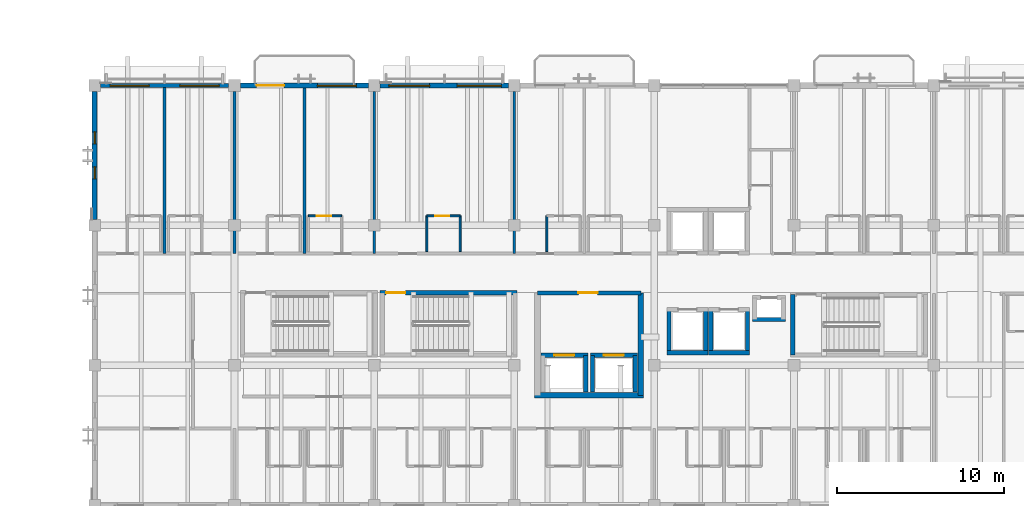
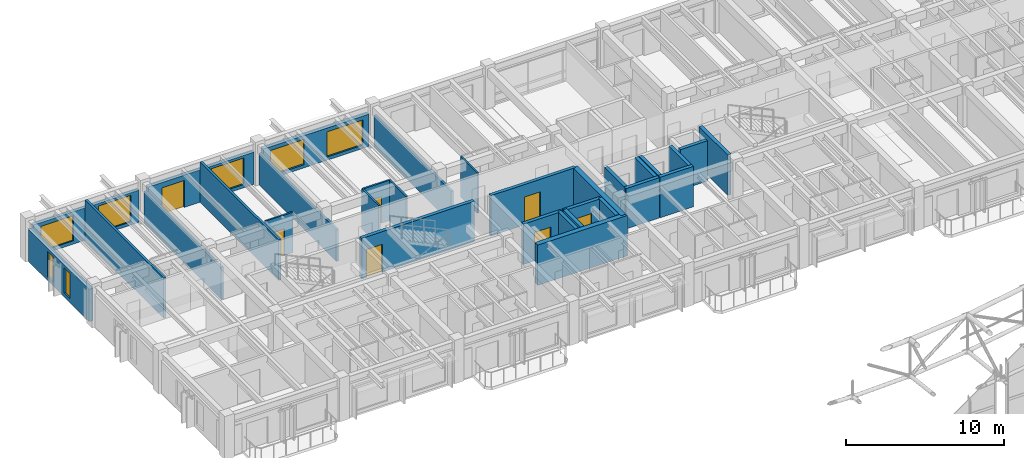
# One storey, part 80 of 93: 31 walls, 7 doors, 7 windows, 14 openings.
"""IFC4 building model written with IfcOpenShell, lengths in metres."""

from ifc_helpers import new_model, si_unit, direction, frame, frame_2d, origin, place, context, subcontext, project, spatial, rectangle, extrude, material, layer, layer_set, type_object, element, fill, save


model = new_model("IFC4")

# Units and contexts
model_context = context("Model", 3, precision=1e-05, world=origin(), true_north=direction((0.0, 1.0)))
body_context = subcontext(model_context, "Body", "Model", "MODEL_VIEW")
ifc_project = project(units=[si_unit("LENGTHUNIT", "METRE"), si_unit("AREAUNIT", "SQUARE_METRE"), si_unit("VOLUMEUNIT", "CUBIC_METRE"), si_unit("PLANEANGLEUNIT", "RADIAN"), si_unit("MASSUNIT", "GRAM", prefix="KILO")], contexts=[model_context])

# Site, building, storey
site_placement = place(None, origin())
site = spatial("IfcSite", under=ifc_project, at=site_placement, CompositionType="ELEMENT")
building_placement = place(site_placement, origin())
building = spatial("IfcBuilding", under=site, at=building_placement, Name="Cumbredor Promenade Congress Hotel", CompositionType="ELEMENT")
storey_placement = place(building_placement, frame((0.0, 0.0, 21.840087890625)))
storey = spatial("IfcBuildingStorey", under=building, at=storey_placement, Name="L06", CompositionType="ELEMENT", Elevation=21.840087890625)

# Walls
ifc_material_1 = material(Name="Concrete C50/60", Category="concrete")
ifc_layer_1 = layer(ifc_material_1, 0.35009765625, Name="Concrete C50/60", Category="concrete")
ifc_layer_set_1 = layer_set([ifc_layer_1], Name="Concrete C50/60")
wall_type_1 = type_object("IfcWallType", Name="Seismic Shear Core Wall 350mm", PredefinedType="SHEAR", material=ifc_layer_set_1)
wall_1_placement = place(storey_placement, frame((26.425048828125, 99.0, 0.0), z_axis=(0.0, 0.0, 1.0), x_axis=(1.0, 0.0, 0.0)))
element("IfcWall", 1, at=wall_1_placement, inside=storey, type_object=wall_type_1, Name="L06 Hotel Core Shear Wall S1", PredefinedType="SHEAR", context=body_context, shape_type="SweptSolid", body=[
    extrude(rectangle(XDim=6.550048828125, YDim=0.35009765625, at=frame_2d((3.27490234375, 0.0))), origin(), (0.0, 0.0, 1.0), 3.119873046875),
])
wall_2_placement = place(storey_placement, frame((32.800048828125, 99.0, 0.0), z_axis=(0.0, 0.0, 1.0), x_axis=(0.0, 1.0, 0.0)))
element("IfcWall", 2, at=wall_2_placement, inside=storey, type_object=wall_type_1, Name="L06 Hotel Core Shear Wall E1", PredefinedType="SHEAR", context=body_context, shape_type="SweptSolid", body=[
    extrude(rectangle(XDim=6.14990234375, YDim=0.35009765625, at=frame_2d((3.074951171875, 0.0))), origin(), (0.0, 0.0, 1.0), 3.119873046875),
])

# Wall, opening, door
ifc_material_2 = material(Name="Moisture-resistant gypsum board on steel studs", Category="steel")
ifc_layer_2 = layer(ifc_material_2, 0.114990234375, Name="Moisture-resistant gypsum board on steel studs", Category="steel")
ifc_layer_set_2 = layer_set([ifc_layer_2], Name="Moisture-resistant gypsum board on steel studs")
wall_type_2 = type_object("IfcWallType", Name="WL-BATH-115", PredefinedType="PARTITIONING", material=ifc_layer_set_2)
wall_3_placement = place(storey_placement, frame((12.840087890625, 109.77001953125, 0.0), z_axis=(0.0, 0.0, 1.0), x_axis=(1.0, 0.0, 0.0)))
wall_3 = element("IfcWall", 3, at=wall_3_placement, inside=storey, type_object=wall_type_2, Name="L06 Interior Partition W-L06-BH-0604", PredefinedType="PARTITIONING", context=body_context, shape_type="SweptSolid", body=[
    extrude(rectangle(XDim=2.0, YDim=0.114990234375, at=frame_2d((1.0, 0.0))), origin(), (0.0, 0.0, 1.0), 3.119873046875),
])
opening_1_placement = place(wall_3_placement, frame((0.5, 0.0, 0.0)))
opening_1 = element("IfcOpeningElement", 4, at=opening_1_placement, cuts=wall_3, Name="Opening ID-01", PredefinedType="OPENING", context=body_context, shape_type="SweptSolid", body=[
    extrude(rectangle(XDim=0.860107421875, YDim=2.050048828125, at=frame_2d((0.43017578125, 1.02490234375))), frame((0.0, 0.0673828125, 0.0), z_axis=(0.0, -1.0, 0.0), x_axis=(1.0, 0.0, 0.0)), (0.0, 0.0, 1.0), 0.135009765625),
])
ifc_material_3 = material(Name="Kiln-dried tropical hardwood", Category="wood")
door_type_1 = type_object("IfcDoorType", Name="DR-BATH-860", OperationType="NOTDEFINED", PredefinedType="DOOR", material=ifc_material_3)
door_1_placement = place(opening_1_placement, origin())
door_1 = element("IfcDoor", 5, at=door_1_placement, inside=storey, type_object=door_type_1, Name="L06 Interior Door W-L06-BH-0604-01", OperationType="SINGLE_SWING_RIGHT", OverallHeight=2.050048828125, OverallWidth=0.860107421875, PredefinedType="DOOR", context=body_context, shape_type="SweptSolid", body=[
    extrude(rectangle(XDim=0.860107421875, YDim=2.050048828125, at=frame_2d((0.43017578125, 1.02490234375))), frame((0.0, 0.02490234375, 0.0), z_axis=(0.0, -1.0, 0.0), x_axis=(1.0, 0.0, 0.0)), (0.0, 0.0, 1.0), 0.050048828125),
])
fill(opening_1, door_1)

wall_4_placement = place(storey_placement, frame((19.949951171875, 109.77001953125, 0.0), z_axis=(0.0, 0.0, 1.0), x_axis=(1.0, 0.0, 0.0)))
wall_4 = element("IfcWall", 6, at=wall_4_placement, inside=storey, type_object=wall_type_2, Name="L06 Interior Partition W-L06-BH-0605", PredefinedType="PARTITIONING", context=body_context, shape_type="SweptSolid", body=[
    extrude(rectangle(XDim=2.0, YDim=0.114990234375, at=frame_2d((1.0, 0.0))), origin(), (0.0, 0.0, 1.0), 3.119873046875),
])
opening_2_placement = place(wall_4_placement, frame((0.5, 0.0, 0.0)))
opening_2 = element("IfcOpeningElement", 7, at=opening_2_placement, cuts=wall_4, Name="Opening ID-01", PredefinedType="OPENING", context=body_context, shape_type="SweptSolid", body=[
    extrude(rectangle(XDim=0.860107421875, YDim=2.050048828125, at=frame_2d((0.43017578125, 1.02490234375))), frame((0.0, 0.0673828125, 0.0), z_axis=(0.0, -1.0, 0.0), x_axis=(1.0, 0.0, 0.0)), (0.0, 0.0, 1.0), 0.135009765625),
])
door_2_placement = place(opening_2_placement, origin())
door_2 = element("IfcDoor", 8, at=door_2_placement, inside=storey, type_object=door_type_1, Name="L06 Interior Door W-L06-BH-0605-01", OperationType="SINGLE_SWING_LEFT", OverallHeight=2.050048828125, OverallWidth=0.860107421875, PredefinedType="DOOR", context=body_context, shape_type="SweptSolid", body=[
    extrude(rectangle(XDim=0.860107421875, YDim=2.050048828125, at=frame_2d((0.43017578125, 1.02490234375))), frame((0.0, 0.02490234375, 0.0), z_axis=(0.0, -1.0, 0.0), x_axis=(1.0, 0.0, 0.0)), (0.0, 0.0, 1.0), 0.050048828125),
])
fill(opening_2, door_2)

# Walls
for number, where, z_axis, x_axis, name in (
    (9, (19.949951171875, 107.6201171875, 0.0), (0.0, 0.0, 1.0), (0.0, 1.0, 0.0), "L06 Interior Partition W-L06-BV1-0605"),
    (10, (21.949951171875, 107.6201171875, 0.0), (0.0, 0.0, 1.0), (0.0, 1.0, 0.0), "L06 Interior Partition W-L06-BV2-0605"),
    (11, (27.159912109375, 107.6201171875, 0.0), (0.0, 0.0, 1.0), (0.0, 1.0, 0.0), "L06 Interior Partition W-L06-BV1-0606"),
):
    element("IfcWall", number, at=place(storey_placement, frame(where, z_axis=z_axis, x_axis=x_axis)), inside=storey, type_object=wall_type_2, Name=name, PredefinedType="PARTITIONING", context=body_context, shape_type="SweptSolid", body=[
        extrude(rectangle(XDim=2.14990234375, YDim=0.114990234375, at=frame_2d((1.074951171875, 0.0))), origin(), (0.0, 0.0, 1.0), 3.119873046875),
    ])

# Wall, openings, windows
ifc_material_4 = material(Name="Concrete C40/50", Category="concrete")
ifc_layer_3 = layer(ifc_material_4, 0.260009765625, Name="Concrete C40/50", Category="concrete")
ifc_layer_set_3 = layer_set([ifc_layer_3], Name="Concrete C40/50")
wall_type_3 = type_object("IfcWallType", Name="WL-EXT-260", PredefinedType="SOLIDWALL", material=ifc_layer_set_3)
wall_5_placement = place(storey_placement, frame((0.35107421875, 117.60009765625, 0.0), z_axis=(0.0, 0.0, 1.0), x_axis=(1.0, 0.0, 0.0)))
wall_5 = element("IfcWall", 12, at=wall_5_placement, inside=storey, type_object=wall_type_3, Name="L06 Stepped Congress Hotel Wing North Envelope Wall 1", PredefinedType="SOLIDWALL", context=body_context, shape_type="SweptSolid", body=[
    extrude(rectangle(XDim=7.697998046875, YDim=0.260009765625, at=frame_2d((3.84912109375, 0.0))), origin(), (0.0, 0.0, 1.0), 2.493896484375),
])
opening_3_placement = place(wall_5_placement, frame((0.573974609375, 0.0, 0.25)))
opening_3 = element("IfcOpeningElement", 13, at=opening_3_placement, cuts=wall_5, Name="Opening WN-08", PredefinedType="OPENING", context=body_context, shape_type="SweptSolid", body=[
    extrude(rectangle(XDim=2.35009765625, YDim=1.949951171875, at=frame_2d((1.175048828125, 0.97509765625))), frame((0.0, 0.14013671875, 0.0), z_axis=(0.0, -1.0, 0.0), x_axis=(1.0, 0.0, 0.0)), (0.0, 0.0, 1.0), 0.280029296875),
])
opening_4_placement = place(wall_5_placement, frame((4.77392578125, 0.0, 0.25)))
opening_4 = element("IfcOpeningElement", 14, at=opening_4_placement, cuts=wall_5, Name="Opening WN-14", PredefinedType="OPENING", context=body_context, shape_type="SweptSolid", body=[
    extrude(rectangle(XDim=2.35009765625, YDim=2.050048828125, at=frame_2d((1.175048828125, 1.02490234375))), frame((0.0, 0.14013671875, 0.0), z_axis=(0.0, -1.0, 0.0), x_axis=(1.0, 0.0, 0.0)), (0.0, 0.0, 1.0), 0.280029296875),
])
ifc_material_5 = material(Name="Thermally broken anodized aluminium and low-E glass", Category="aluminium")
window_type_1 = type_object("IfcWindowType", Name="Hospitality Floor-to-Ceiling Window WN-08 2350x1950", PartitioningType="DOUBLE_PANEL_VERTICAL", PredefinedType="WINDOW", material=ifc_material_5)
window_1_placement = place(opening_3_placement, origin())
window_1 = element("IfcWindow", 15, at=window_1_placement, inside=storey, type_object=window_type_1, Name="L06 Wide Hospitality Window 0595", OverallHeight=1.949951171875, OverallWidth=2.35009765625, PartitioningType="DOUBLE_PANEL_VERTICAL", PredefinedType="WINDOW", context=body_context, shape_type="SweptSolid", body=[
    extrude(rectangle(XDim=2.35009765625, YDim=1.949951171875, at=frame_2d((1.175048828125, 0.97509765625))), frame((0.0, 0.030029296875, 0.0), z_axis=(0.0, -1.0, 0.0), x_axis=(1.0, 0.0, 0.0)), (0.0, 0.0, 1.0), 0.06005859375),
])
fill(opening_3, window_1)
window_type_2 = type_object("IfcWindowType", Name="Hospitality Floor-to-Ceiling Window WN-14 2350x2050", PartitioningType="DOUBLE_PANEL_VERTICAL", PredefinedType="WINDOW", material=ifc_material_5)
window_2_placement = place(opening_4_placement, origin())
window_2 = element("IfcWindow", 16, at=window_2_placement, inside=storey, type_object=window_type_2, Name="L06 Wide Hospitality Window 0596", OverallHeight=2.050048828125, OverallWidth=2.35009765625, PartitioningType="DOUBLE_PANEL_VERTICAL", PredefinedType="WINDOW", context=body_context, shape_type="SweptSolid", body=[
    extrude(rectangle(XDim=2.35009765625, YDim=2.050048828125, at=frame_2d((1.175048828125, 1.02490234375))), frame((0.0, 0.030029296875, 0.0), z_axis=(0.0, -1.0, 0.0), x_axis=(1.0, 0.0, 0.0)), (0.0, 0.0, 1.0), 0.06005859375),
])
fill(opening_4, window_2)

# Wall, openings, door, window
ifc_layer_4 = layer(ifc_material_4, 0.280029296875, Name="Concrete C40/50", Category="concrete")
ifc_layer_set_4 = layer_set([ifc_layer_4], Name="Concrete C40/50")
wall_type_4 = type_object("IfcWallType", Name="WL-EXT-280", PredefinedType="SOLIDWALL", material=ifc_layer_set_4)
wall_6_placement = place(storey_placement, frame((8.7509765625, 117.60009765625, 0.0), z_axis=(0.0, 0.0, 1.0), x_axis=(1.0, 0.0, 0.0)))
wall_6 = element("IfcWall", 17, at=wall_6_placement, inside=storey, type_object=wall_type_4, Name="L06 Stepped Congress Hotel Wing North Envelope Wall 2", PredefinedType="SOLIDWALL", context=body_context, shape_type="SweptSolid", body=[
    extrude(rectangle(XDim=7.697998046875, YDim=0.280029296875, at=frame_2d((3.84912109375, 0.0))), origin(), (0.0, 0.0, 1.0), 2.493896484375),
])
opening_5_placement = place(wall_6_placement, frame((0.97412109375, 0.0, 0.0)))
opening_5 = element("IfcOpeningElement", 18, at=opening_5_placement, cuts=wall_6, Name="Opening TD-02", PredefinedType="OPENING", context=body_context, shape_type="SweptSolid", body=[
    extrude(rectangle(XDim=1.64990234375, YDim=2.080078125, at=frame_2d((0.824951171875, 1.0400390625))), frame((0.0, 0.14990234375, 0.0), z_axis=(0.0, -1.0, 0.0), x_axis=(1.0, 0.0, 0.0)), (0.0, 0.0, 1.0), 0.300048828125),
])
opening_6_placement = place(wall_6_placement, frame((4.6240234375, 0.0, 0.25)))
opening_6 = element("IfcOpeningElement", 19, at=opening_6_placement, cuts=wall_6, Name="Opening WN-14", PredefinedType="OPENING", context=body_context, shape_type="SweptSolid", body=[
    extrude(rectangle(XDim=2.35009765625, YDim=2.050048828125, at=frame_2d((1.175048828125, 1.02490234375))), frame((0.0, 0.14990234375, 0.0), z_axis=(0.0, -1.0, 0.0), x_axis=(1.0, 0.0, 0.0)), (0.0, 0.0, 1.0), 0.300048828125),
])
ifc_material_6 = material(Name="Thermally broken anodized aluminium and laminated safety glass", Category="aluminium")
door_type_2 = type_object("IfcDoorType", Name="EXT-DR-TER-1650x2080", OperationType="DOUBLE_DOOR_SINGLE_SWING", PredefinedType="DOOR", material=ifc_material_6)
door_3_placement = place(opening_5_placement, origin())
door_3 = element("IfcDoor", 20, at=door_3_placement, inside=storey, type_object=door_type_2, Name="L06 Guestroom Veranda Balcony Door 070", OperationType="DOUBLE_DOOR_SINGLE_SWING", OverallHeight=2.080078125, OverallWidth=1.64990234375, PredefinedType="DOOR", context=body_context, shape_type="SweptSolid", body=[
    extrude(rectangle(XDim=1.64990234375, YDim=2.080078125, at=frame_2d((0.824951171875, 1.0400390625))), frame((0.0, 0.02490234375, 0.0), z_axis=(0.0, -1.0, 0.0), x_axis=(1.0, 0.0, 0.0)), (0.0, 0.0, 1.0), 0.050048828125),
])
fill(opening_5, door_3)
window_3_placement = place(opening_6_placement, origin())
window_3 = element("IfcWindow", 21, at=window_3_placement, inside=storey, type_object=window_type_2, Name="L06 Veranda Companion Floor-to-Ceiling Window 0597", OverallHeight=2.050048828125, OverallWidth=2.35009765625, PartitioningType="DOUBLE_PANEL_VERTICAL", PredefinedType="WINDOW", context=body_context, shape_type="SweptSolid", body=[
    extrude(rectangle(XDim=2.35009765625, YDim=2.050048828125, at=frame_2d((1.175048828125, 1.02490234375))), frame((0.0, 0.030029296875, 0.0), z_axis=(0.0, -1.0, 0.0), x_axis=(1.0, 0.0, 0.0)), (0.0, 0.0, 1.0), 0.06005859375),
])
fill(opening_6, window_3)

# Wall, openings, windows
ifc_layer_5 = layer(ifc_material_4, 0.300048828125, Name="Concrete C40/50", Category="concrete")
ifc_layer_set_5 = layer_set([ifc_layer_5], Name="Concrete C40/50")
wall_type_5 = type_object("IfcWallType", Name="WL-EXT-300", PredefinedType="SOLIDWALL", material=ifc_layer_set_5)
wall_7_placement = place(storey_placement, frame((17.15087890625, 117.60009765625, 0.0), z_axis=(0.0, 0.0, 1.0), x_axis=(1.0, 0.0, 0.0)))
wall_7 = element("IfcWall", 22, at=wall_7_placement, inside=storey, type_object=wall_type_5, Name="L06 Stepped Congress Hotel Wing North Envelope Wall 3", PredefinedType="SOLIDWALL", context=body_context, shape_type="SweptSolid", body=[
    extrude(rectangle(XDim=7.6982421875, YDim=0.300048828125, at=frame_2d((3.84912109375, 0.0))), origin(), (0.0, 0.0, 1.0), 2.493896484375),
])
opening_7_placement = place(wall_7_placement, frame((0.52392578125, 0.0, 0.25)))
opening_7 = element("IfcOpeningElement", 23, at=opening_7_placement, cuts=wall_7, Name="Opening WN-09", PredefinedType="OPENING", context=body_context, shape_type="SweptSolid", body=[
    extrude(rectangle(XDim=2.449951171875, YDim=1.949951171875, at=frame_2d((1.22509765625, 0.97509765625))), frame((0.0, 0.16015625, 0.0), z_axis=(0.0, -1.0, 0.0), x_axis=(1.0, 0.0, 0.0)), (0.0, 0.0, 1.0), 0.320068359375),
])
opening_8_placement = place(wall_7_placement, frame((4.6240234375, 0.0, 0.25)))
opening_8 = element("IfcOpeningElement", 24, at=opening_8_placement, cuts=wall_7, Name="Opening WN-11", PredefinedType="OPENING", context=body_context, shape_type="SweptSolid", body=[
    extrude(rectangle(XDim=2.64990234375, YDim=1.949951171875, at=frame_2d((1.324951171875, 0.97509765625))), frame((0.0, 0.16015625, 0.0), z_axis=(0.0, -1.0, 0.0), x_axis=(1.0, 0.0, 0.0)), (0.0, 0.0, 1.0), 0.320068359375),
])
window_type_3 = type_object("IfcWindowType", Name="Hospitality Floor-to-Ceiling Window WN-09 2450x1950", PartitioningType="DOUBLE_PANEL_VERTICAL", PredefinedType="WINDOW", material=ifc_material_5)
window_4_placement = place(opening_7_placement, origin())
window_4 = element("IfcWindow", 25, at=window_4_placement, inside=storey, type_object=window_type_3, Name="L06 Wide Hospitality Window 0598", OverallHeight=1.949951171875, OverallWidth=2.449951171875, PartitioningType="DOUBLE_PANEL_VERTICAL", PredefinedType="WINDOW", context=body_context, shape_type="SweptSolid", body=[
    extrude(rectangle(XDim=2.449951171875, YDim=1.949951171875, at=frame_2d((1.22509765625, 0.97509765625))), frame((0.0, 0.030029296875, 0.0), z_axis=(0.0, -1.0, 0.0), x_axis=(1.0, 0.0, 0.0)), (0.0, 0.0, 1.0), 0.06005859375),
])
fill(opening_7, window_4)
window_type_4 = type_object("IfcWindowType", Name="Hospitality Floor-to-Ceiling Window WN-11 2650x1950", PartitioningType="DOUBLE_PANEL_VERTICAL", PredefinedType="WINDOW", material=ifc_material_5)
window_5_placement = place(opening_8_placement, origin())
window_5 = element("IfcWindow", 26, at=window_5_placement, inside=storey, type_object=window_type_4, Name="L06 Wide Hospitality Window 0599", OverallHeight=1.949951171875, OverallWidth=2.64990234375, PartitioningType="DOUBLE_PANEL_VERTICAL", PredefinedType="WINDOW", context=body_context, shape_type="SweptSolid", body=[
    extrude(rectangle(XDim=2.64990234375, YDim=1.949951171875, at=frame_2d((1.324951171875, 0.97509765625))), frame((0.0, 0.030029296875, 0.0), z_axis=(0.0, -1.0, 0.0), x_axis=(1.0, 0.0, 0.0)), (0.0, 0.0, 1.0), 0.06005859375),
])
fill(opening_8, window_5)

wall_8_placement = place(storey_placement, frame((0.0, 109.551025390625, 0.0), z_axis=(0.0, 0.0, 1.0), x_axis=(0.0, 1.0, 0.0)))
wall_8 = element("IfcWall", 27, at=wall_8_placement, inside=storey, type_object=wall_type_5, Name="L06 Stepped Congress Hotel Wing West Envelope Wall 3", PredefinedType="SOLIDWALL", context=body_context, shape_type="SweptSolid", body=[
    extrude(rectangle(XDim=7.697998046875, YDim=0.300048828125, at=frame_2d((3.84912109375, 0.0))), origin(), (0.0, 0.0, 1.0), 2.493896484375),
])
opening_9_placement = place(wall_8_placement, frame((2.43896484375, 0.0, 0.300048828125)))
opening_9 = element("IfcOpeningElement", 28, at=opening_9_placement, cuts=wall_8, Name="Opening WN-49", PredefinedType="OPENING", context=body_context, shape_type="SweptSolid", body=[
    extrude(rectangle(XDim=0.719970703125, YDim=1.949951171875, at=frame_2d((0.35986328125, 0.97509765625))), frame((0.0, 0.16015625, 0.0), z_axis=(0.0, -1.0, 0.0), x_axis=(1.0, 0.0, 0.0)), (0.0, 0.0, 1.0), 0.320068359375),
])
opening_10_placement = place(wall_8_placement, frame((4.5390625, 0.0, 0.300048828125)))
opening_10 = element("IfcOpeningElement", 29, at=opening_10_placement, cuts=wall_8, Name="Opening WN-49", PredefinedType="OPENING", context=body_context, shape_type="SweptSolid", body=[
    extrude(rectangle(XDim=0.719970703125, YDim=1.949951171875, at=frame_2d((0.35986328125, 0.97509765625))), frame((0.0, 0.16015625, 0.0), z_axis=(0.0, -1.0, 0.0), x_axis=(1.0, 0.0, 0.0)), (0.0, 0.0, 1.0), 0.320068359375),
])
window_type_5 = type_object("IfcWindowType", Name="Vertical Slot Window WN-49 720x1950", PartitioningType="SINGLE_PANEL", PredefinedType="WINDOW", material=ifc_material_5)
window_6_placement = place(opening_9_placement, origin())
window_6 = element("IfcWindow", 30, at=window_6_placement, inside=storey, type_object=window_type_5, Name="L06 Vertical Slot Window 0609", OverallHeight=1.949951171875, OverallWidth=0.719970703125, PartitioningType="SINGLE_PANEL", PredefinedType="WINDOW", context=body_context, shape_type="SweptSolid", body=[
    extrude(rectangle(XDim=0.719970703125, YDim=1.949951171875, at=frame_2d((0.35986328125, 0.97509765625))), frame((0.0, 0.030029296875, 0.0), z_axis=(0.0, -1.0, 0.0), x_axis=(1.0, 0.0, 0.0)), (0.0, 0.0, 1.0), 0.06005859375),
])
fill(opening_9, window_6)
window_7_placement = place(opening_10_placement, origin())
window_7 = element("IfcWindow", 31, at=window_7_placement, inside=storey, type_object=window_type_5, Name="L06 Vertical Slot Window 0610", OverallHeight=1.949951171875, OverallWidth=0.719970703125, PartitioningType="SINGLE_PANEL", PredefinedType="WINDOW", context=body_context, shape_type="SweptSolid", body=[
    extrude(rectangle(XDim=0.719970703125, YDim=1.949951171875, at=frame_2d((0.35986328125, 0.97509765625))), frame((0.0, 0.030029296875, 0.0), z_axis=(0.0, -1.0, 0.0), x_axis=(1.0, 0.0, 0.0)), (0.0, 0.0, 1.0), 0.06005859375),
])
fill(opening_10, window_7)

# Wall, opening, door
ifc_layer_6 = layer(ifc_material_4, 0.239990234375, Name="Concrete C40/50", Category="concrete")
ifc_layer_set_6 = layer_set([ifc_layer_6], Name="Concrete C40/50")
wall_type_6 = type_object("IfcWallType", Name="WL-FFL-240", PredefinedType="SOLIDWALL", material=ifc_layer_set_6)
wall_9_placement = place(storey_placement, frame((26.60009765625, 105.14990234375, 0.0), z_axis=(0.0, 0.0, 1.0), x_axis=(1.0, 0.0, 0.0)))
wall_9 = element("IfcWall", 32, at=wall_9_placement, inside=storey, type_object=wall_type_6, Name="L06 Interior Partition W-FFL-L06-N", PredefinedType="SOLIDWALL", context=body_context, shape_type="SweptSolid", body=[
    extrude(rectangle(XDim=6.199951171875, YDim=0.239990234375, at=frame_2d((3.10009765625, 0.0))), origin(), (0.0, 0.0, 1.0), 3.119873046875),
])
opening_11_placement = place(wall_9_placement, frame((2.449951171875, 0.0, 0.0)))
opening_11 = element("IfcOpeningElement", 33, at=opening_11_placement, cuts=wall_9, Name="Opening FD-05", PredefinedType="OPENING", context=body_context, shape_type="SweptSolid", body=[
    extrude(rectangle(XDim=1.14990234375, YDim=2.14990234375, at=frame_2d((0.574951171875, 1.074951171875))), frame((0.0, 0.1298828125, 0.0), z_axis=(0.0, -1.0, 0.0), x_axis=(1.0, 0.0, 0.0)), (0.0, 0.0, 1.0), 0.260009765625),
])
ifc_material_7 = material(Name="Painted galvanized steel fire door", Category="steel")
door_type_3 = type_object("IfcDoorType", Name="DR-SGL-FD60-1150", OperationType="NOTDEFINED", PredefinedType="DOOR", material=ifc_material_7)
door_4_placement = place(opening_11_placement, origin())
door_4 = element("IfcDoor", 34, at=door_4_placement, inside=storey, type_object=door_type_3, Name="L06 Interior Door W-FFL-L06-N-01", OperationType="SINGLE_SWING_LEFT", OverallHeight=2.14990234375, OverallWidth=1.14990234375, PredefinedType="DOOR", context=body_context, shape_type="SweptSolid", body=[
    extrude(rectangle(XDim=1.14990234375, YDim=2.14990234375, at=frame_2d((0.574951171875, 1.074951171875))), frame((0.0, 0.02490234375, 0.0), z_axis=(0.0, -1.0, 0.0), x_axis=(1.0, 0.0, 0.0)), (0.0, 0.0, 1.0), 0.050048828125),
])
fill(opening_11, door_4)

ifc_layer_7 = layer(ifc_material_4, 0.2548828125, Name="Concrete C40/50", Category="concrete")
ifc_layer_set_7 = layer_set([ifc_layer_7], Name="Concrete C40/50")
wall_type_7 = type_object("IfcWallType", Name="WL-SHAFT-250", PredefinedType="SOLIDWALL", material=ifc_layer_set_7)
wall_10_placement = place(storey_placement, frame((17.152587890625, 105.14990234375, 0.0), z_axis=(0.0, 0.0, 1.0), x_axis=(1.0, 0.0, 0.0)))
wall_10 = element("IfcWall", 35, at=wall_10_placement, inside=storey, type_object=wall_type_7, Name="STAIR-ST-02-L06 Shaft Wall North", PredefinedType="SOLIDWALL", context=body_context, shape_type="SweptSolid", body=[
    extrude(rectangle(XDim=8.224853515625, YDim=0.2548828125, at=frame_2d((4.1123046875, 0.0))), origin(), (0.0, 0.0, 1.0), 3.119873046875),
])
opening_12_placement = place(wall_10_placement, frame((0.35009765625, 0.0, 0.0)))
opening_12 = element("IfcOpeningElement", 36, at=opening_12_placement, cuts=wall_10, Name="Opening SD-01", PredefinedType="OPENING", context=body_context, shape_type="SweptSolid", body=[
    extrude(rectangle(XDim=1.159912109375, YDim=2.14990234375, at=frame_2d((0.580078125, 1.074951171875))), frame((0.0, 0.137451171875, 0.0), z_axis=(0.0, -1.0, 0.0), x_axis=(1.0, 0.0, 0.0)), (0.0, 0.0, 1.0), 0.27490234375),
])
door_type_4 = type_object("IfcDoorType", Name="DR-STAIR-FD90-1150", OperationType="NOTDEFINED", PredefinedType="DOOR", material=ifc_material_7)
door_5_placement = place(opening_12_placement, origin())
door_5 = element("IfcDoor", 37, at=door_5_placement, inside=storey, type_object=door_type_4, Name="L06 Protected Exit Stair ST-02 Door", OperationType="SINGLE_SWING_LEFT", OverallHeight=2.14990234375, OverallWidth=1.159912109375, PredefinedType="DOOR", context=body_context, shape_type="SweptSolid", body=[
    extrude(rectangle(XDim=1.159912109375, YDim=2.14990234375, at=frame_2d((0.580078125, 1.074951171875))), frame((0.0, 0.02490234375, 0.0), z_axis=(0.0, -1.0, 0.0), x_axis=(1.0, 0.0, 0.0)), (0.0, 0.0, 1.0), 0.050048828125),
])
fill(opening_12, door_5)

# Wall
wall_11_placement = place(storey_placement, frame((41.929931640625, 101.419921875, 0.0), z_axis=(0.0, 0.0, 1.0), x_axis=(0.0, 1.0, 0.0)))
element("IfcWall", 38, at=wall_11_placement, inside=storey, type_object=wall_type_7, Name="STAIR-ST-03-L06 Shaft Wall West", PredefinedType="SOLIDWALL", context=body_context, shape_type="SweptSolid", body=[
    extrude(rectangle(XDim=3.630126953125, YDim=0.2548828125, at=frame_2d((1.81494140625, 0.0))), origin(), (0.0, 0.0, 1.0), 3.119873046875),
])

# Wall, opening, door
wall_12_placement = place(storey_placement, frame((26.802490234375, 101.39990234375, 0.0), z_axis=(0.0, 0.0, 1.0), x_axis=(1.0, 0.0, 0.0)))
wall_12 = element("IfcWall", 39, at=wall_12_placement, inside=storey, type_object=wall_type_7, Name="SHAFT-FF-01-L06 Shaft Wall North", PredefinedType="SOLIDWALL", context=body_context, shape_type="SweptSolid", body=[
    extrude(rectangle(XDim=2.824951171875, YDim=0.2548828125, at=frame_2d((1.41259765625, 0.0))), origin(), (0.0, 0.0, 1.0), 3.119873046875),
])
opening_13_placement = place(wall_12_placement, frame((0.8125, 0.0, 0.0)))
opening_13 = element("IfcOpeningElement", 40, at=opening_13_placement, cuts=wall_12, Name="Opening LD-02", PredefinedType="OPENING", context=body_context, shape_type="SweptSolid", body=[
    extrude(rectangle(XDim=1.199951171875, YDim=2.199951171875, at=frame_2d((0.60009765625, 1.10009765625))), frame((0.0, 0.137451171875, 0.0), z_axis=(0.0, -1.0, 0.0), x_axis=(1.0, 0.0, 0.0)), (0.0, 0.0, 1.0), 0.27490234375),
])
ifc_material_8 = material(Name="Brushed stainless steel", Category="steel")
door_type_5 = type_object("IfcDoorType", Name="Firefighting Lift Sliding Door LD-02 1200x2200", OperationType="DOUBLE_DOOR_SLIDING", PredefinedType="DOOR", material=ifc_material_8)
door_6_placement = place(opening_13_placement, origin())
door_6 = element("IfcDoor", 41, at=door_6_placement, inside=storey, type_object=door_type_5, Name="L06 Firefighting Lift FF-01 Sliding Landing Door", OperationType="DOUBLE_DOOR_SLIDING", OverallHeight=2.199951171875, OverallWidth=1.199951171875, PredefinedType="DOOR", context=body_context, shape_type="SweptSolid", body=[
    extrude(rectangle(XDim=1.199951171875, YDim=2.199951171875, at=frame_2d((0.60009765625, 1.10009765625))), frame((0.0, 0.02490234375, 0.0), z_axis=(0.0, -1.0, 0.0), x_axis=(1.0, 0.0, 0.0)), (0.0, 0.0, 1.0), 0.050048828125),
])
fill(opening_13, door_6)

# Wall
wall_13_placement = place(storey_placement, frame((29.5, 99.199951171875, 0.0), z_axis=(0.0, 0.0, 1.0), x_axis=(0.0, 1.0, 0.0)))
element("IfcWall", 42, at=wall_13_placement, inside=storey, type_object=wall_type_7, Name="SHAFT-FF-01-L06 Shaft Wall East", PredefinedType="SOLIDWALL", context=body_context, shape_type="SweptSolid", body=[
    extrude(rectangle(XDim=2.199951171875, YDim=0.2548828125, at=frame_2d((1.10009765625, 0.0))), origin(), (0.0, 0.0, 1.0), 3.119873046875),
])

# Wall, opening, door
wall_14_placement = place(storey_placement, frame((29.7724609375, 101.39990234375, 0.0), z_axis=(0.0, 0.0, 1.0), x_axis=(1.0, 0.0, 0.0)))
wall_14 = element("IfcWall", 43, at=wall_14_placement, inside=storey, type_object=wall_type_7, Name="SHAFT-FF-02-L06 Shaft Wall North", PredefinedType="SOLIDWALL", context=body_context, shape_type="SweptSolid", body=[
    extrude(rectangle(XDim=2.824951171875, YDim=0.2548828125, at=frame_2d((1.41259765625, 0.0))), origin(), (0.0, 0.0, 1.0), 3.119873046875),
])
opening_14_placement = place(wall_14_placement, frame((0.8125, 0.0, 0.0)))
opening_14 = element("IfcOpeningElement", 44, at=opening_14_placement, cuts=wall_14, Name="Opening LD-02", PredefinedType="OPENING", context=body_context, shape_type="SweptSolid", body=[
    extrude(rectangle(XDim=1.199951171875, YDim=2.199951171875, at=frame_2d((0.60009765625, 1.10009765625))), frame((0.0, 0.137451171875, 0.0), z_axis=(0.0, -1.0, 0.0), x_axis=(1.0, 0.0, 0.0)), (0.0, 0.0, 1.0), 0.27490234375),
])
door_7_placement = place(opening_14_placement, origin())
door_7 = element("IfcDoor", 45, at=door_7_placement, inside=storey, type_object=door_type_5, Name="L06 Firefighting Lift FF-02 Sliding Landing Door", OperationType="DOUBLE_DOOR_SLIDING", OverallHeight=2.199951171875, OverallWidth=1.199951171875, PredefinedType="DOOR", context=body_context, shape_type="SweptSolid", body=[
    extrude(rectangle(XDim=1.199951171875, YDim=2.199951171875, at=frame_2d((0.60009765625, 1.10009765625))), frame((0.0, 0.02490234375, 0.0), z_axis=(0.0, -1.0, 0.0), x_axis=(1.0, 0.0, 0.0)), (0.0, 0.0, 1.0), 0.050048828125),
])
fill(opening_14, door_7)

# Walls
for number, where, z_axis, x_axis, name in (
    (46, (29.89990234375, 99.199951171875, 0.0), (0.0, 0.0, 1.0), (0.0, 1.0, 0.0), "SHAFT-FF-02-L06 Shaft Wall West"),
    (47, (32.469970703125, 99.199951171875, 0.0), (0.0, 0.0, 1.0), (0.0, 1.0, 0.0), "SHAFT-FF-02-L06 Shaft Wall East"),
):
    element("IfcWall", number, at=place(storey_placement, frame(where, z_axis=z_axis, x_axis=x_axis)), inside=storey, type_object=wall_type_7, Name=name, PredefinedType="SOLIDWALL", context=body_context, shape_type="SweptSolid", body=[
        extrude(rectangle(XDim=2.199951171875, YDim=0.2548828125, at=frame_2d((1.10009765625, 0.0))), origin(), (0.0, 0.0, 1.0), 3.119873046875),
    ])
wall_15_placement = place(storey_placement, frame((34.37255859375, 101.550048828125, 0.0), z_axis=(0.0, 0.0, 1.0), x_axis=(1.0, 0.0, 0.0)))
element("IfcWall", 48, at=wall_15_placement, inside=storey, type_object=wall_type_7, Name="SHAFT-PL-03-L06 Shaft Wall South", PredefinedType="SOLIDWALL", context=body_context, shape_type="SweptSolid", body=[
    extrude(rectangle(XDim=2.454833984375, YDim=0.2548828125, at=frame_2d((1.2275390625, 0.0))), origin(), (0.0, 0.0, 1.0), 3.119873046875),
])
for number, where, z_axis, x_axis, name in (
    (49, (34.5, 101.550048828125, 0.0), (0.0, 0.0, 1.0), (0.0, 1.0, 0.0), "SHAFT-PL-03-L06 Shaft Wall West"),
    (50, (36.699951171875, 101.550048828125, 0.0), (0.0, 0.0, 1.0), (0.0, 1.0, 0.0), "SHAFT-PL-03-L06 Shaft Wall East"),
):
    element("IfcWall", number, at=place(storey_placement, frame(where, z_axis=z_axis, x_axis=x_axis)), inside=storey, type_object=wall_type_7, Name=name, PredefinedType="SOLIDWALL", context=body_context, shape_type="SweptSolid", body=[
        extrude(rectangle(XDim=2.599853515625, YDim=0.2548828125, at=frame_2d((1.2998046875, 0.0))), origin(), (0.0, 0.0, 1.0), 3.119873046875),
    ])
wall_16_placement = place(storey_placement, frame((36.87255859375, 101.550048828125, 0.0), z_axis=(0.0, 0.0, 1.0), x_axis=(1.0, 0.0, 0.0)))
element("IfcWall", 51, at=wall_16_placement, inside=storey, type_object=wall_type_7, Name="SHAFT-PL-04-L06 Shaft Wall South", PredefinedType="SOLIDWALL", context=body_context, shape_type="SweptSolid", body=[
    extrude(rectangle(XDim=2.454833984375, YDim=0.2548828125, at=frame_2d((1.2275390625, 0.0))), origin(), (0.0, 0.0, 1.0), 3.119873046875),
])
for number, where, z_axis, x_axis, name in (
    (52, (37.0, 101.550048828125, 0.0), (0.0, 0.0, 1.0), (0.0, 1.0, 0.0), "SHAFT-PL-04-L06 Shaft Wall West"),
    (53, (39.199951171875, 101.550048828125, 0.0), (0.0, 0.0, 1.0), (0.0, 1.0, 0.0), "SHAFT-PL-04-L06 Shaft Wall East"),
):
    element("IfcWall", number, at=place(storey_placement, frame(where, z_axis=z_axis, x_axis=x_axis)), inside=storey, type_object=wall_type_7, Name=name, PredefinedType="SOLIDWALL", context=body_context, shape_type="SweptSolid", body=[
        extrude(rectangle(XDim=2.599853515625, YDim=0.2548828125, at=frame_2d((1.2998046875, 0.0))), origin(), (0.0, 0.0, 1.0), 3.119873046875),
    ])
wall_17_placement = place(storey_placement, frame((39.5224609375, 103.550048828125, 0.0), z_axis=(0.0, 0.0, 1.0), x_axis=(1.0, 0.0, 0.0)))
element("IfcWall", 54, at=wall_17_placement, inside=storey, type_object=wall_type_7, Name="RISER-MEP-R1-L06 Shaft Wall South", PredefinedType="SOLIDWALL", context=body_context, shape_type="SweptSolid", body=[
    extrude(rectangle(XDim=1.955078125, YDim=0.2548828125, at=frame_2d((0.9775390625, 0.0))), origin(), (0.0, 0.0, 1.0), 3.119873046875),
])
ifc_material_9 = material(Name="Fire-rated acoustic double-stud partition")
ifc_layer_8 = layer(ifc_material_9, 0.1650390625, Name="Fire-rated acoustic double-stud partition")
ifc_layer_set_8 = layer_set([ifc_layer_8], Name="Fire-rated acoustic double-stud partition")
wall_type_8 = type_object("IfcWallType", Name="WL-UNIT-165", PredefinedType="PARTITIONING", material=ifc_layer_set_8)
wall_18_placement = place(storey_placement, frame((4.199951171875, 107.5, 0.0), z_axis=(0.0, 0.0, 1.0), x_axis=(0.0, 1.0, 0.0)))
element("IfcWall", 55, at=wall_18_placement, inside=storey, type_object=wall_type_8, Name="L06 Interior Partition W-L06-N-DIV-0-M", PredefinedType="PARTITIONING", context=body_context, shape_type="SweptSolid", body=[
    extrude(rectangle(XDim=9.969970703125, YDim=0.1650390625, at=frame_2d((4.98486328125, 0.0))), origin(), (0.0, 0.0, 1.0), 3.119873046875),
])
wall_19_placement = place(storey_placement, frame((12.60009765625, 107.5, 0.0), z_axis=(0.0, 0.0, 1.0), x_axis=(0.0, 1.0, 0.0)))
element("IfcWall", 56, at=wall_19_placement, inside=storey, type_object=wall_type_8, Name="L06 Interior Partition W-L06-N-DIV-1-M", PredefinedType="PARTITIONING", context=body_context, shape_type="SweptSolid", body=[
    extrude(rectangle(XDim=9.9599609375, YDim=0.1650390625, at=frame_2d((4.97998046875, 0.0))), origin(), (0.0, 0.0, 1.0), 3.119873046875),
])
for number, where, z_axis, x_axis, name in (
    (57, (8.39990234375, 107.5, 0.0), (0.0, 0.0, 1.0), (0.0, 1.0, 0.0), "L06 Interior Partition W-L06-N-DIV-1-G"),
    (58, (16.800048828125, 107.5, 0.0), (0.0, 0.0, 1.0), (0.0, 1.0, 0.0), "L06 Interior Partition W-L06-N-DIV-2-G"),
    (59, (25.199951171875, 107.5, 0.0), (0.0, 0.0, 1.0), (0.0, 1.0, 0.0), "L06 Interior Partition W-L06-N-DIV-3-G"),
):
    element("IfcWall", number, at=place(storey_placement, frame(where, z_axis=z_axis, x_axis=x_axis)), inside=storey, type_object=wall_type_8, Name=name, PredefinedType="PARTITIONING", context=body_context, shape_type="SweptSolid", body=[
        extrude(rectangle(XDim=9.75, YDim=0.1650390625, at=frame_2d((4.875, 0.0))), origin(), (0.0, 0.0, 1.0), 2.454833984375),
    ])

save(model, "model.ifc")
